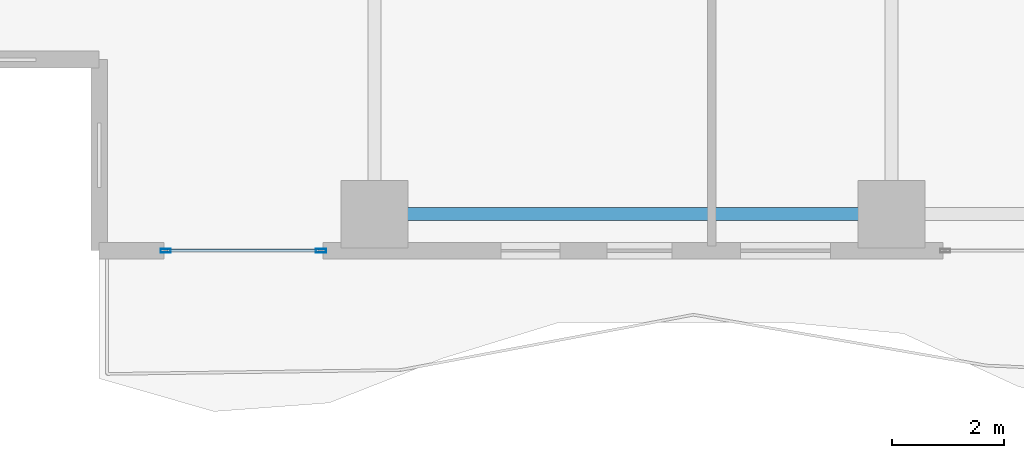
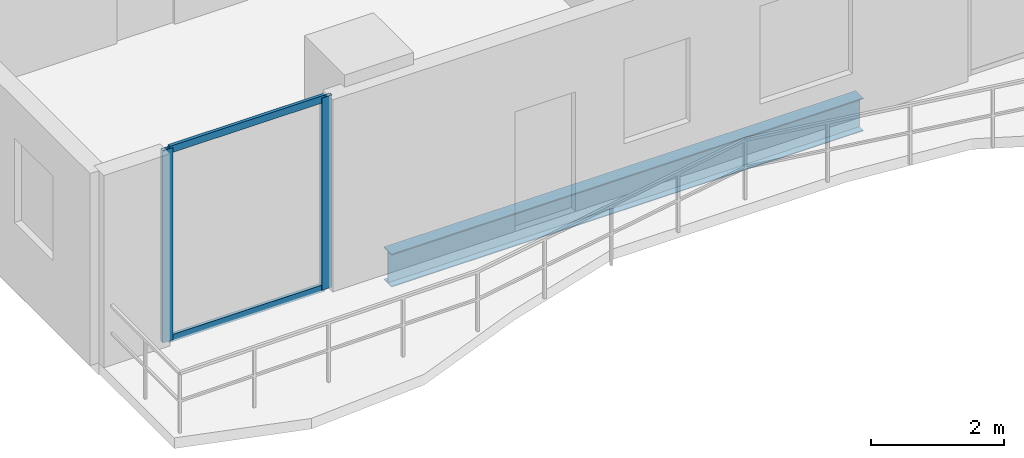
# One storey, part 2 of 33: 4 members, 1 beam, 1 element without a shape of its own.
"""IFC4 building model written with IfcOpenShell, lengths in metres."""

from ifc_helpers import new_model, si_unit, direction, frame, origin, origin_2d, place, context, subcontext, project, spatial, hollow_rectangle, i_section, extrude, material, layer, layer_set, material_profile, profile_set, type_object, element, aggregate, save


model = new_model("IFC4")

# Units and contexts
model_context = context("Model", 3, precision=1e-05, world=origin(), true_north=direction((0.0, 1.0)))
body_context = subcontext(model_context, "Body", "Model", "MODEL_VIEW")
ifc_project = project(units=[si_unit("LENGTHUNIT", "METRE"), si_unit("AREAUNIT", "SQUARE_METRE"), si_unit("VOLUMEUNIT", "CUBIC_METRE"), si_unit("PLANEANGLEUNIT", "RADIAN"), si_unit("MASSUNIT", "GRAM", prefix="KILO")], contexts=[model_context])

# Site, building, storey
site_placement = place(None, origin())
site = spatial("IfcSite", under=ifc_project, at=site_placement, CompositionType="ELEMENT")
building_placement = place(site_placement, origin())
building = spatial("IfcBuilding", under=site, at=building_placement, Name="Zuhayl Quay Hotel", CompositionType="ELEMENT")
storey_placement = place(building_placement, frame((0.0, 0.0, 199.89990234375)))
storey = spatial("IfcBuildingStorey", under=building, at=storey_placement, Name="L50", CompositionType="ELEMENT", Elevation=199.89990234375)

# Beam
ifc_material_1 = material(Name="Steel ASTM A992 Grade 50", Category="steel")
ifc_material_profile_1 = material_profile(ifc_material_1, i_section(OverallWidth=0.22802734375, OverallDepth=0.60693359375, WebThickness=0.01123046875, FlangeThickness=0.017333984375, at=origin_2d()), Name="W24X76")
ifc_profile_set_1 = profile_set([ifc_material_profile_1], Name="Steel ASTM A992 Grade 50")
beam_type = type_object("IfcBeamType", Name="BM_B3_W24X76", PredefinedType="BEAM", material=ifc_profile_set_1)
beam_placement = place(storey_placement, frame((-13.300048828125, -6.949951171875, -0.5234375), z_axis=(1.0, 0.0, 0.0), x_axis=(0.0, 1.0, 0.0)))
element("IfcBeam", 1, at=beam_placement, inside=storey, type_object=beam_type, Name="L50 Floor Beam RG_L50_01", PredefinedType="BEAM", context=body_context, shape_type="SweptSolid", body=[
    extrude(i_section(OverallWidth=0.22802734375, OverallDepth=0.60693359375, WebThickness=0.01123046875, FlangeThickness=0.017333984375, at=origin_2d()), origin(), (0.0, 0.0, 1.0), 8.199951171875),
])

# Curtain wall, members
ifc_material_2 = material(Name="Anodised Aluminium 6063-T6", Category="aluminium")
ifc_layer = layer(ifc_material_2, 0.175048828125, Name="Anodised Aluminium 6063-T6", Category="aluminium")
ifc_layer_set = layer_set([ifc_layer], Name="Anodised Aluminium 6063-T6")
curtain_wall_type = type_object("IfcCurtainWallType", Name="CW_SYS_Z3", PredefinedType="USERDEFINED", material=ifc_layer_set)
curtain_wall_placement = place(storey_placement, origin())
curtain_wall = element("IfcCurtainWall", 2, at=curtain_wall_placement, inside=storey, type_object=curtain_wall_type, Name="L50 Curtain Wall ENV_L50_S_CW5", ObjectType="UNITISED CURTAIN WALL", PredefinedType="USERDEFINED")
ifc_material_3 = material(Name="Black-anodised aluminium 6063-T6", Category="aluminium")
ifc_material_profile_2 = material_profile(ifc_material_3, hollow_rectangle(XDim=0.06494140625, YDim=0.179931640625, WallThickness=0.00341796875, at=origin_2d()), Name="ALU180X65")
ifc_profile_set_2 = profile_set([ifc_material_profile_2], Name="Black-anodised aluminium 6063-T6")
member_type_1 = type_object("IfcMemberType", Name="MB_CW_MUL_180", PredefinedType="MULLION", material=ifc_profile_set_2)
member_1_placement = place(storey_placement, frame((-14.75244140625, -7.60009765625, 0.0), z_axis=(0.0, 0.0, 1.0), x_axis=(0.0, -1.0, 0.0)))
member_1 = element("IfcMember", 3, at=member_1_placement, type_object=member_type_1, Name="CW-Z3 mullion 1", PredefinedType="MULLION", context=body_context, shape_type="SweptSolid", body=[
    extrude(hollow_rectangle(XDim=0.06494140625, YDim=0.179931640625, WallThickness=0.00341796875, at=origin_2d()), origin(), (0.0, 0.0, 1.0), 3.530029296875),
])
member_2_placement = place(storey_placement, frame((-17.517578125, -7.60009765625, 0.0), z_axis=(0.0, 0.0, 1.0), x_axis=(0.0, -1.0, 0.0)))
member_2 = element("IfcMember", 4, at=member_2_placement, type_object=member_type_1, Name="CW-Z3 mullion 2", PredefinedType="MULLION", context=body_context, shape_type="SweptSolid", body=[
    extrude(hollow_rectangle(XDim=0.06494140625, YDim=0.179931640625, WallThickness=0.00341796875, at=origin_2d()), origin(), (0.0, 0.0, 1.0), 3.530029296875),
])
ifc_material_profile_3 = material_profile(ifc_material_3, hollow_rectangle(XDim=0.054931640625, YDim=0.1298828125, WallThickness=0.0029296875, at=origin_2d()), Name="ALU130X55")
ifc_profile_set_3 = profile_set([ifc_material_profile_3], Name="Black-anodised aluminium 6063-T6")
member_type_2 = type_object("IfcMemberType", Name="MB_CW_TRN_130", PredefinedType="USERDEFINED", material=ifc_profile_set_3)
member_3_placement = place(storey_placement, frame((-14.784912109375, -7.60009765625, 0.027587890625), z_axis=(-1.0, 0.0, 0.0), x_axis=(0.0, -1.0, 0.0)))
member_3 = element("IfcMember", 5, at=member_3_placement, type_object=member_type_2, Name="CW-Z3 transom 1.1", ObjectType="TRANSOM", PredefinedType="USERDEFINED", context=body_context, shape_type="SweptSolid", body=[
    extrude(hollow_rectangle(XDim=0.054931640625, YDim=0.1298828125, WallThickness=0.0029296875, at=origin_2d()), origin(), (0.0, 0.0, 1.0), 2.7001953125),
])
member_4_placement = place(storey_placement, frame((-14.784912109375, -7.60009765625, 3.502685546875), z_axis=(-1.0, 0.0, 0.0), x_axis=(0.0, -1.0, 0.0)))
member_4 = element("IfcMember", 6, at=member_4_placement, type_object=member_type_2, Name="CW-Z3 transom 1.2", ObjectType="TRANSOM", PredefinedType="USERDEFINED", context=body_context, shape_type="SweptSolid", body=[
    extrude(hollow_rectangle(XDim=0.054931640625, YDim=0.1298828125, WallThickness=0.0029296875, at=origin_2d()), origin(), (0.0, 0.0, 1.0), 2.7001953125),
])
aggregate(curtain_wall, [member_1, member_2, member_3, member_4])

save(model, "model.ifc")
